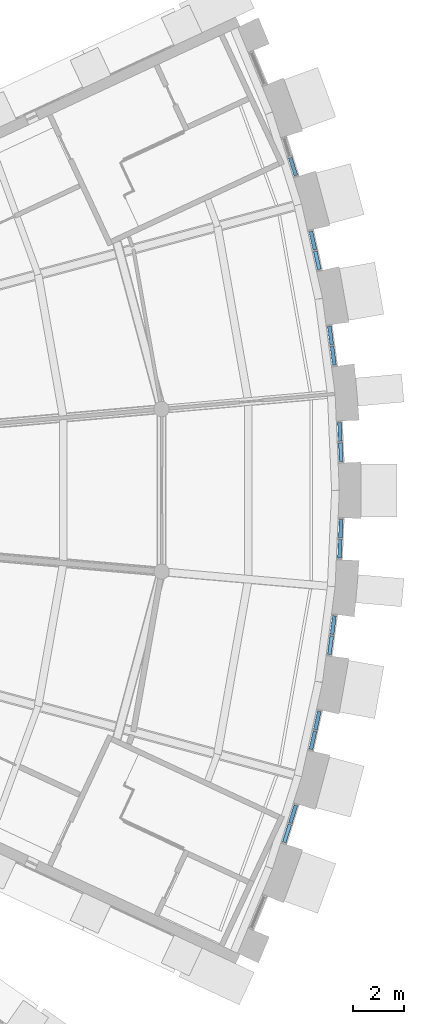
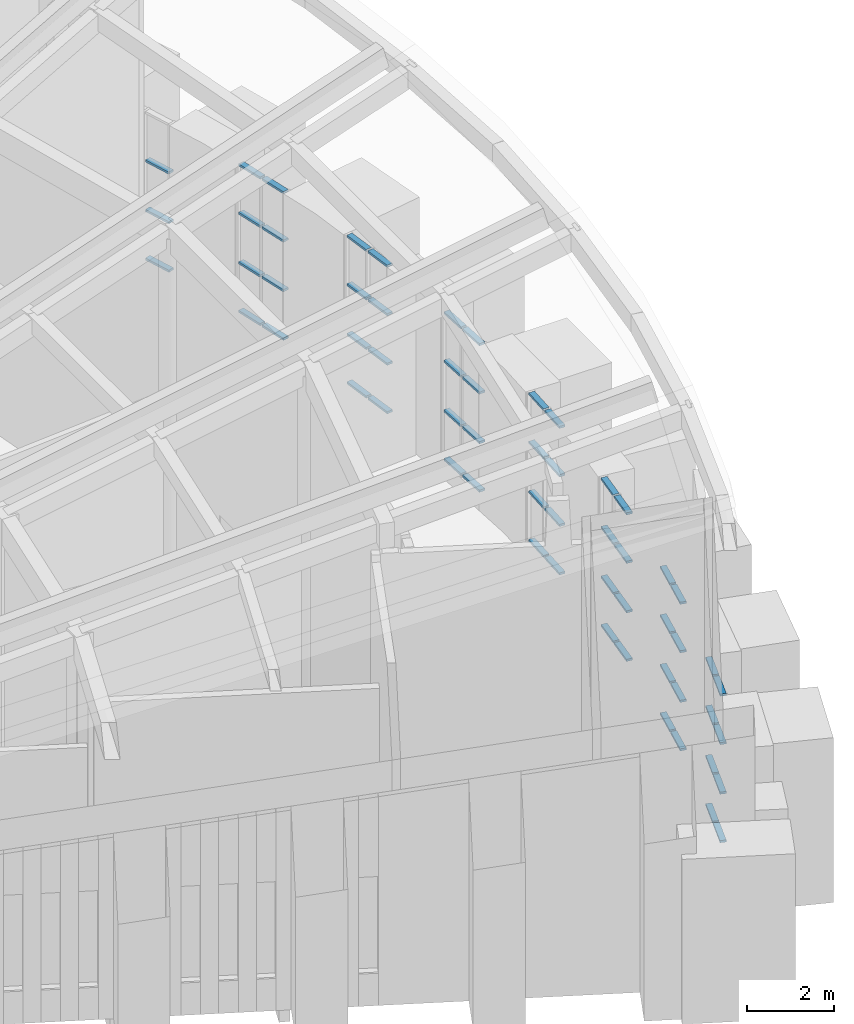
# One storey, part 16 of 50: 59 members, 8 elements without a shape of their own.
"""IFC4 building model written with IfcOpenShell, lengths in metres."""

from ifc_helpers import new_model, si_unit, direction, frame, origin, origin_2d, place, context, subcontext, project, spatial, rectangle, extrude, material, layer, layer_set, material_profile, profile_set, type_object, element, aggregate, save


model = new_model("IFC4")

# Units and contexts
model_context = context("Model", 3, precision=1e-05, world=origin(), true_north=direction((0.0, 1.0)))
body_context = subcontext(model_context, "Body", "Model", "MODEL_VIEW")
ifc_project = project(units=[si_unit("LENGTHUNIT", "METRE"), si_unit("AREAUNIT", "SQUARE_METRE"), si_unit("VOLUMEUNIT", "CUBIC_METRE"), si_unit("PLANEANGLEUNIT", "RADIAN"), si_unit("MASSUNIT", "GRAM", prefix="KILO")], contexts=[model_context])

# Site, building, storey
site_placement = place(None, origin())
site = spatial("IfcSite", under=ifc_project, at=site_placement, CompositionType="ELEMENT")
building_placement = place(site_placement, origin())
building = spatial("IfcBuilding", under=site, at=building_placement, Name="Volute Hill Aquarium", CompositionType="ELEMENT")
storey_placement = place(building_placement, frame((0.0, 0.0, 9.199951171875)))
storey = spatial("IfcBuildingStorey", under=building, at=storey_placement, Name="L03", CompositionType="ELEMENT", Elevation=9.199951171875)

# Curtain wall, members
ifc_material_1 = material(Name="Aluminium", Category="aluminium")
ifc_layer = layer(ifc_material_1, 0.25)
ifc_layer_set = layer_set([ifc_layer], Name="Curtain wall niche S4 module 819")
curtain_wall_type = type_object("IfcCurtainWallType", Name="Curtain wall niche S4 module 819", PredefinedType="NOTDEFINED", material=ifc_layer_set)
curtain_wall_1_placement = place(storey_placement, origin())
curtain_wall_1 = element("IfcCurtainWall", 1, at=curtain_wall_1_placement, inside=storey, type_object=curtain_wall_type, Name="Curtain wall CW S4 L03 2", PredefinedType="NOTDEFINED")
ifc_material_2 = material(Name="Aluminium", Category="aluminium")
ifc_material_profile = material_profile(ifc_material_2, rectangle(XDim=0.14990234375, YDim=0.06005859375, at=origin_2d()), Name="Curtain wall transom S4 60x150")
ifc_profile_set = profile_set([ifc_material_profile], Name="Aluminium")
member_type = type_object("IfcMemberType", Name="Curtain wall transom S4 60x150", PredefinedType="USERDEFINED", material=ifc_profile_set)
member_1_placement = place(storey_placement, frame((41.052001953125, -13.7392578125, 0.47998046875), z_axis=(0.300810716557, 0.953683864184, 0.0), x_axis=(-0.953683864184, 0.300810716557, 0.0)))
member_1 = element("IfcMember", 2, at=member_1_placement, type_object=member_type, Name="CW transom 1.1", ObjectType="TRANSOM", PredefinedType="USERDEFINED", context=body_context, shape_type="SweptSolid", body=[
    extrude(rectangle(XDim=0.14990234375, YDim=0.06005859375, at=origin_2d()), origin(), (0.0, 0.0, 1.0), 0.728759765625),
])
member_2_placement = place(storey_placement, frame((41.052001953125, -13.7392578125, 1.83349609375), z_axis=(0.300810716557, 0.953683864184, 0.0), x_axis=(-0.953683864184, 0.300810716557, 0.0)))
member_2 = element("IfcMember", 3, at=member_2_placement, type_object=member_type, Name="CW transom 1.2", ObjectType="TRANSOM", PredefinedType="USERDEFINED", context=body_context, shape_type="SweptSolid", body=[
    extrude(rectangle(XDim=0.14990234375, YDim=0.06005859375, at=origin_2d()), origin(), (0.0, 0.0, 1.0), 0.728759765625),
])
member_3_placement = place(storey_placement, frame((41.052001953125, -13.7392578125, 3.216796875), z_axis=(0.300810716557, 0.953683864184, 0.0), x_axis=(-0.953683864184, 0.300810716557, 0.0)))
member_3 = element("IfcMember", 4, at=member_3_placement, type_object=member_type, Name="CW transom 1.3", ObjectType="TRANSOM", PredefinedType="USERDEFINED", context=body_context, shape_type="SweptSolid", body=[
    extrude(rectangle(XDim=0.14990234375, YDim=0.06005859375, at=origin_2d()), origin(), (0.0, 0.0, 1.0), 0.728759765625),
])
member_4_placement = place(storey_placement, frame((41.052001953125, -13.7392578125, 4.570068359375), z_axis=(0.300810716557, 0.953683864184, 0.0), x_axis=(-0.953683864184, 0.300810716557, 0.0)))
member_4 = element("IfcMember", 5, at=member_4_placement, type_object=member_type, Name="CW transom 1.4", ObjectType="TRANSOM", PredefinedType="USERDEFINED", context=body_context, shape_type="SweptSolid", body=[
    extrude(rectangle(XDim=0.14990234375, YDim=0.06005859375, at=origin_2d()), origin(), (0.0, 0.0, 1.0), 0.728759765625),
])
member_5_placement = place(storey_placement, frame((41.289306640625, -12.987060546875, 0.47998046875), z_axis=(0.300506003221, 0.953779923267, 0.0), x_axis=(-0.953779923267, 0.300506003221, 0.0)))
member_5 = element("IfcMember", 6, at=member_5_placement, type_object=member_type, Name="CW transom 2.1", ObjectType="TRANSOM", PredefinedType="USERDEFINED", context=body_context, shape_type="SweptSolid", body=[
    extrude(rectangle(XDim=0.14990234375, YDim=0.06005859375, at=origin_2d()), origin(), (0.0, 0.0, 1.0), 0.728759765625),
])
member_6_placement = place(storey_placement, frame((41.289306640625, -12.987060546875, 1.83349609375), z_axis=(0.300506003221, 0.953779923267, 0.0), x_axis=(-0.953779923267, 0.300506003221, 0.0)))
member_6 = element("IfcMember", 7, at=member_6_placement, type_object=member_type, Name="CW transom 2.2", ObjectType="TRANSOM", PredefinedType="USERDEFINED", context=body_context, shape_type="SweptSolid", body=[
    extrude(rectangle(XDim=0.14990234375, YDim=0.06005859375, at=origin_2d()), origin(), (0.0, 0.0, 1.0), 0.728759765625),
])
member_7_placement = place(storey_placement, frame((41.289306640625, -12.987060546875, 3.216796875), z_axis=(0.300506003221, 0.953779923267, 0.0), x_axis=(-0.953779923267, 0.300506003221, 0.0)))
member_7 = element("IfcMember", 8, at=member_7_placement, type_object=member_type, Name="CW transom 2.3", ObjectType="TRANSOM", PredefinedType="USERDEFINED", context=body_context, shape_type="SweptSolid", body=[
    extrude(rectangle(XDim=0.14990234375, YDim=0.06005859375, at=origin_2d()), origin(), (0.0, 0.0, 1.0), 0.728759765625),
])
member_8_placement = place(storey_placement, frame((41.289306640625, -12.987060546875, 4.570068359375), z_axis=(0.300506003221, 0.953779923267, 0.0), x_axis=(-0.953779923267, 0.300506003221, 0.0)))
member_8 = element("IfcMember", 9, at=member_8_placement, type_object=member_type, Name="CW transom 2.4", ObjectType="TRANSOM", PredefinedType="USERDEFINED", context=body_context, shape_type="SweptSolid", body=[
    extrude(rectangle(XDim=0.14990234375, YDim=0.06005859375, at=origin_2d()), origin(), (0.0, 0.0, 1.0), 0.728759765625),
])
aggregate(curtain_wall_1, [member_1, member_2, member_3, member_4, member_5, member_6, member_7, member_8])

curtain_wall_2_placement = place(storey_placement, origin())
curtain_wall_2 = element("IfcCurtainWall", 10, at=curtain_wall_2_placement, inside=storey, type_object=curtain_wall_type, Name="Curtain wall CW S4 L03 3", PredefinedType="NOTDEFINED")
member_9_placement = place(storey_placement, frame((42.09326171875, -10.109130859375, 0.47998046875), z_axis=(0.216433786926, 0.976297298919, 0.0), x_axis=(-0.976297298919, 0.216433786926, 0.0)))
member_9 = element("IfcMember", 11, at=member_9_placement, type_object=member_type, Name="CW transom 1.1", ObjectType="TRANSOM", PredefinedType="USERDEFINED", context=body_context, shape_type="SweptSolid", body=[
    extrude(rectangle(XDim=0.14990234375, YDim=0.06005859375, at=origin_2d()), origin(), (0.0, 0.0, 1.0), 0.728759765625),
])
member_10_placement = place(storey_placement, frame((42.09326171875, -10.109130859375, 1.83349609375), z_axis=(0.216433786926, 0.976297298919, 0.0), x_axis=(-0.976297298919, 0.216433786926, 0.0)))
member_10 = element("IfcMember", 12, at=member_10_placement, type_object=member_type, Name="CW transom 1.2", ObjectType="TRANSOM", PredefinedType="USERDEFINED", context=body_context, shape_type="SweptSolid", body=[
    extrude(rectangle(XDim=0.14990234375, YDim=0.06005859375, at=origin_2d()), origin(), (0.0, 0.0, 1.0), 0.728759765625),
])
member_11_placement = place(storey_placement, frame((42.09326171875, -10.109130859375, 3.216796875), z_axis=(0.216433786926, 0.976297298919, 0.0), x_axis=(-0.976297298919, 0.216433786926, 0.0)))
member_11 = element("IfcMember", 13, at=member_11_placement, type_object=member_type, Name="CW transom 1.3", ObjectType="TRANSOM", PredefinedType="USERDEFINED", context=body_context, shape_type="SweptSolid", body=[
    extrude(rectangle(XDim=0.14990234375, YDim=0.06005859375, at=origin_2d()), origin(), (0.0, 0.0, 1.0), 0.728759765625),
])
member_12_placement = place(storey_placement, frame((42.09326171875, -10.109130859375, 4.570068359375), z_axis=(0.216433786926, 0.976297298919, 0.0), x_axis=(-0.976297298919, 0.216433786926, 0.0)))
member_12 = element("IfcMember", 14, at=member_12_placement, type_object=member_type, Name="CW transom 1.4", ObjectType="TRANSOM", PredefinedType="USERDEFINED", context=body_context, shape_type="SweptSolid", body=[
    extrude(rectangle(XDim=0.14990234375, YDim=0.06005859375, at=origin_2d()), origin(), (0.0, 0.0, 1.0), 0.728759765625),
])
member_13_placement = place(storey_placement, frame((42.263916015625, -9.339111328125, 0.47998046875), z_axis=(0.216433786926, 0.976297298919, 0.0), x_axis=(-0.976297298919, 0.216433786926, 0.0)))
member_13 = element("IfcMember", 15, at=member_13_placement, type_object=member_type, Name="CW transom 2.1", ObjectType="TRANSOM", PredefinedType="USERDEFINED", context=body_context, shape_type="SweptSolid", body=[
    extrude(rectangle(XDim=0.14990234375, YDim=0.06005859375, at=origin_2d()), origin(), (0.0, 0.0, 1.0), 0.728759765625),
])
member_14_placement = place(storey_placement, frame((42.263916015625, -9.339111328125, 1.83349609375), z_axis=(0.216433786926, 0.976297298919, 0.0), x_axis=(-0.976297298919, 0.216433786926, 0.0)))
member_14 = element("IfcMember", 16, at=member_14_placement, type_object=member_type, Name="CW transom 2.2", ObjectType="TRANSOM", PredefinedType="USERDEFINED", context=body_context, shape_type="SweptSolid", body=[
    extrude(rectangle(XDim=0.14990234375, YDim=0.06005859375, at=origin_2d()), origin(), (0.0, 0.0, 1.0), 0.728759765625),
])
member_15_placement = place(storey_placement, frame((42.263916015625, -9.339111328125, 3.216796875), z_axis=(0.216433786926, 0.976297298919, 0.0), x_axis=(-0.976297298919, 0.216433786926, 0.0)))
member_15 = element("IfcMember", 17, at=member_15_placement, type_object=member_type, Name="CW transom 2.3", ObjectType="TRANSOM", PredefinedType="USERDEFINED", context=body_context, shape_type="SweptSolid", body=[
    extrude(rectangle(XDim=0.14990234375, YDim=0.06005859375, at=origin_2d()), origin(), (0.0, 0.0, 1.0), 0.728759765625),
])
member_16_placement = place(storey_placement, frame((42.263916015625, -9.339111328125, 4.570068359375), z_axis=(0.216433786926, 0.976297298919, 0.0), x_axis=(-0.976297298919, 0.216433786926, 0.0)))
member_16 = element("IfcMember", 18, at=member_16_placement, type_object=member_type, Name="CW transom 2.4", ObjectType="TRANSOM", PredefinedType="USERDEFINED", context=body_context, shape_type="SweptSolid", body=[
    extrude(rectangle(XDim=0.14990234375, YDim=0.06005859375, at=origin_2d()), origin(), (0.0, 0.0, 1.0), 0.728759765625),
])
aggregate(curtain_wall_2, [member_9, member_10, member_11, member_12, member_13, member_14, member_15, member_16])

curtain_wall_3_placement = place(storey_placement, origin())
curtain_wall_3 = element("IfcCurtainWall", 19, at=curtain_wall_3_placement, inside=storey, type_object=curtain_wall_type, Name="Curtain wall CW S4 L03 4", PredefinedType="NOTDEFINED")
member_17_placement = place(storey_placement, frame((42.814208984375, -6.40185546875, 0.47998046875), z_axis=(0.130341833664, 0.991469115201, 0.0), x_axis=(-0.991469115201, 0.130341833664, 0.0)))
member_17 = element("IfcMember", 20, at=member_17_placement, type_object=member_type, Name="CW transom 1.1", ObjectType="TRANSOM", PredefinedType="USERDEFINED", context=body_context, shape_type="SweptSolid", body=[
    extrude(rectangle(XDim=0.14990234375, YDim=0.06005859375, at=origin_2d()), origin(), (0.0, 0.0, 1.0), 0.728515625),
])
member_18_placement = place(storey_placement, frame((42.814208984375, -6.40185546875, 1.83349609375), z_axis=(0.130341833664, 0.991469115201, 0.0), x_axis=(-0.991469115201, 0.130341833664, 0.0)))
member_18 = element("IfcMember", 21, at=member_18_placement, type_object=member_type, Name="CW transom 1.2", ObjectType="TRANSOM", PredefinedType="USERDEFINED", context=body_context, shape_type="SweptSolid", body=[
    extrude(rectangle(XDim=0.14990234375, YDim=0.06005859375, at=origin_2d()), origin(), (0.0, 0.0, 1.0), 0.728515625),
])
member_19_placement = place(storey_placement, frame((42.814208984375, -6.40185546875, 3.216796875), z_axis=(0.130341833664, 0.991469115201, 0.0), x_axis=(-0.991469115201, 0.130341833664, 0.0)))
member_19 = element("IfcMember", 22, at=member_19_placement, type_object=member_type, Name="CW transom 1.3", ObjectType="TRANSOM", PredefinedType="USERDEFINED", context=body_context, shape_type="SweptSolid", body=[
    extrude(rectangle(XDim=0.14990234375, YDim=0.06005859375, at=origin_2d()), origin(), (0.0, 0.0, 1.0), 0.728515625),
])
member_20_placement = place(storey_placement, frame((42.814208984375, -6.40185546875, 4.570068359375), z_axis=(0.130341833664, 0.991469115201, 0.0), x_axis=(-0.991469115201, 0.130341833664, 0.0)))
member_20 = element("IfcMember", 23, at=member_20_placement, type_object=member_type, Name="CW transom 1.4", ObjectType="TRANSOM", PredefinedType="USERDEFINED", context=body_context, shape_type="SweptSolid", body=[
    extrude(rectangle(XDim=0.14990234375, YDim=0.06005859375, at=origin_2d()), origin(), (0.0, 0.0, 1.0), 0.728515625),
])
member_21_placement = place(storey_placement, frame((42.9169921875, -5.619873046875, 0.47998046875), z_axis=(0.130671188566, 0.991425761456, 0.0), x_axis=(-0.991425761456, 0.130671188566, 0.0)))
member_21 = element("IfcMember", 24, at=member_21_placement, type_object=member_type, Name="CW transom 2.1", ObjectType="TRANSOM", PredefinedType="USERDEFINED", context=body_context, shape_type="SweptSolid", body=[
    extrude(rectangle(XDim=0.14990234375, YDim=0.06005859375, at=origin_2d()), origin(), (0.0, 0.0, 1.0), 0.728759765625),
])
member_22_placement = place(storey_placement, frame((42.9169921875, -5.619873046875, 1.83349609375), z_axis=(0.130671188566, 0.991425761456, 0.0), x_axis=(-0.991425761456, 0.130671188566, 0.0)))
member_22 = element("IfcMember", 25, at=member_22_placement, type_object=member_type, Name="CW transom 2.2", ObjectType="TRANSOM", PredefinedType="USERDEFINED", context=body_context, shape_type="SweptSolid", body=[
    extrude(rectangle(XDim=0.14990234375, YDim=0.06005859375, at=origin_2d()), origin(), (0.0, 0.0, 1.0), 0.728759765625),
])
member_23_placement = place(storey_placement, frame((42.9169921875, -5.619873046875, 3.216796875), z_axis=(0.130671188566, 0.991425761456, 0.0), x_axis=(-0.991425761456, 0.130671188566, 0.0)))
member_23 = element("IfcMember", 26, at=member_23_placement, type_object=member_type, Name="CW transom 2.3", ObjectType="TRANSOM", PredefinedType="USERDEFINED", context=body_context, shape_type="SweptSolid", body=[
    extrude(rectangle(XDim=0.14990234375, YDim=0.06005859375, at=origin_2d()), origin(), (0.0, 0.0, 1.0), 0.728759765625),
])
member_24_placement = place(storey_placement, frame((42.9169921875, -5.619873046875, 4.570068359375), z_axis=(0.130671188566, 0.991425761456, 0.0), x_axis=(-0.991425761456, 0.130671188566, 0.0)))
member_24 = element("IfcMember", 27, at=member_24_placement, type_object=member_type, Name="CW transom 2.4", ObjectType="TRANSOM", PredefinedType="USERDEFINED", context=body_context, shape_type="SweptSolid", body=[
    extrude(rectangle(XDim=0.14990234375, YDim=0.06005859375, at=origin_2d()), origin(), (0.0, 0.0, 1.0), 0.728759765625),
])
aggregate(curtain_wall_3, [member_17, member_18, member_19, member_20, member_21, member_22, member_23, member_24])

curtain_wall_4_placement = place(storey_placement, origin())
curtain_wall_4 = element("IfcCurtainWall", 28, at=curtain_wall_4_placement, inside=storey, type_object=curtain_wall_type, Name="Curtain wall CW S4 L03 5", PredefinedType="NOTDEFINED")
member_25_placement = place(storey_placement, frame((43.209228515625, -2.64599609375, 0.47998046875), z_axis=(0.04355353531, 0.99905109457, 0.0), x_axis=(-0.99905109457, 0.04355353531, 0.0)))
member_25 = element("IfcMember", 29, at=member_25_placement, type_object=member_type, Name="CW transom 1.1", ObjectType="TRANSOM", PredefinedType="USERDEFINED", context=body_context, shape_type="SweptSolid", body=[
    extrude(rectangle(XDim=0.14990234375, YDim=0.06005859375, at=origin_2d()), origin(), (0.0, 0.0, 1.0), 0.728759765625),
])
member_26_placement = place(storey_placement, frame((43.209228515625, -2.64599609375, 1.83349609375), z_axis=(0.04355353531, 0.99905109457, 0.0), x_axis=(-0.99905109457, 0.04355353531, 0.0)))
member_26 = element("IfcMember", 30, at=member_26_placement, type_object=member_type, Name="CW transom 1.2", ObjectType="TRANSOM", PredefinedType="USERDEFINED", context=body_context, shape_type="SweptSolid", body=[
    extrude(rectangle(XDim=0.14990234375, YDim=0.06005859375, at=origin_2d()), origin(), (0.0, 0.0, 1.0), 0.728759765625),
])
member_27_placement = place(storey_placement, frame((43.209228515625, -2.64599609375, 3.216796875), z_axis=(0.04355353531, 0.99905109457, 0.0), x_axis=(-0.99905109457, 0.04355353531, 0.0)))
member_27 = element("IfcMember", 31, at=member_27_placement, type_object=member_type, Name="CW transom 1.3", ObjectType="TRANSOM", PredefinedType="USERDEFINED", context=body_context, shape_type="SweptSolid", body=[
    extrude(rectangle(XDim=0.14990234375, YDim=0.06005859375, at=origin_2d()), origin(), (0.0, 0.0, 1.0), 0.728759765625),
])
member_28_placement = place(storey_placement, frame((43.209228515625, -2.64599609375, 4.570068359375), z_axis=(0.04355353531, 0.99905109457, 0.0), x_axis=(-0.99905109457, 0.04355353531, 0.0)))
member_28 = element("IfcMember", 32, at=member_28_placement, type_object=member_type, Name="CW transom 1.4", ObjectType="TRANSOM", PredefinedType="USERDEFINED", context=body_context, shape_type="SweptSolid", body=[
    extrude(rectangle(XDim=0.14990234375, YDim=0.06005859375, at=origin_2d()), origin(), (0.0, 0.0, 1.0), 0.728759765625),
])
member_29_placement = place(storey_placement, frame((43.24365234375, -1.85791015625, 0.47998046875), z_axis=(0.04355353531, 0.99905109457, 0.0), x_axis=(-0.99905109457, 0.04355353531, 0.0)))
member_29 = element("IfcMember", 33, at=member_29_placement, type_object=member_type, Name="CW transom 2.1", ObjectType="TRANSOM", PredefinedType="USERDEFINED", context=body_context, shape_type="SweptSolid", body=[
    extrude(rectangle(XDim=0.14990234375, YDim=0.06005859375, at=origin_2d()), origin(), (0.0, 0.0, 1.0), 0.728759765625),
])
member_30_placement = place(storey_placement, frame((43.24365234375, -1.85791015625, 1.83349609375), z_axis=(0.04355353531, 0.99905109457, 0.0), x_axis=(-0.99905109457, 0.04355353531, 0.0)))
member_30 = element("IfcMember", 34, at=member_30_placement, type_object=member_type, Name="CW transom 2.2", ObjectType="TRANSOM", PredefinedType="USERDEFINED", context=body_context, shape_type="SweptSolid", body=[
    extrude(rectangle(XDim=0.14990234375, YDim=0.06005859375, at=origin_2d()), origin(), (0.0, 0.0, 1.0), 0.728759765625),
])
member_31_placement = place(storey_placement, frame((43.24365234375, -1.85791015625, 3.216796875), z_axis=(0.04355353531, 0.99905109457, 0.0), x_axis=(-0.99905109457, 0.04355353531, 0.0)))
member_31 = element("IfcMember", 35, at=member_31_placement, type_object=member_type, Name="CW transom 2.3", ObjectType="TRANSOM", PredefinedType="USERDEFINED", context=body_context, shape_type="SweptSolid", body=[
    extrude(rectangle(XDim=0.14990234375, YDim=0.06005859375, at=origin_2d()), origin(), (0.0, 0.0, 1.0), 0.728759765625),
])
member_32_placement = place(storey_placement, frame((43.24365234375, -1.85791015625, 4.570068359375), z_axis=(0.04355353531, 0.99905109457, 0.0), x_axis=(-0.99905109457, 0.04355353531, 0.0)))
member_32 = element("IfcMember", 36, at=member_32_placement, type_object=member_type, Name="CW transom 2.4", ObjectType="TRANSOM", PredefinedType="USERDEFINED", context=body_context, shape_type="SweptSolid", body=[
    extrude(rectangle(XDim=0.14990234375, YDim=0.06005859375, at=origin_2d()), origin(), (0.0, 0.0, 1.0), 0.728759765625),
])
aggregate(curtain_wall_4, [member_25, member_26, member_27, member_28, member_29, member_30, member_31, member_32])

curtain_wall_5_placement = place(storey_placement, origin())
curtain_wall_5 = element("IfcCurtainWall", 37, at=curtain_wall_5_placement, inside=storey, type_object=curtain_wall_type, Name="Curtain wall CW S4 L03 6", PredefinedType="NOTDEFINED")
member_33_placement = place(storey_placement, frame((43.275390625, 1.130126953125, 0.47998046875), z_axis=(-0.04355353531, 0.99905109457, 0.0), x_axis=(-0.99905109457, -0.04355353531, 0.0)))
member_33 = element("IfcMember", 38, at=member_33_placement, type_object=member_type, Name="CW transom 1.1", ObjectType="TRANSOM", PredefinedType="USERDEFINED", context=body_context, shape_type="SweptSolid", body=[
    extrude(rectangle(XDim=0.14990234375, YDim=0.06005859375, at=origin_2d()), origin(), (0.0, 0.0, 1.0), 0.728759765625),
])
member_34_placement = place(storey_placement, frame((43.275390625, 1.130126953125, 1.83349609375), z_axis=(-0.04355353531, 0.99905109457, 0.0), x_axis=(-0.99905109457, -0.04355353531, 0.0)))
member_34 = element("IfcMember", 39, at=member_34_placement, type_object=member_type, Name="CW transom 1.2", ObjectType="TRANSOM", PredefinedType="USERDEFINED", context=body_context, shape_type="SweptSolid", body=[
    extrude(rectangle(XDim=0.14990234375, YDim=0.06005859375, at=origin_2d()), origin(), (0.0, 0.0, 1.0), 0.728759765625),
])
member_35_placement = place(storey_placement, frame((43.275390625, 1.130126953125, 3.216796875), z_axis=(-0.04355353531, 0.99905109457, 0.0), x_axis=(-0.99905109457, -0.04355353531, 0.0)))
member_35 = element("IfcMember", 40, at=member_35_placement, type_object=member_type, Name="CW transom 1.3", ObjectType="TRANSOM", PredefinedType="USERDEFINED", context=body_context, shape_type="SweptSolid", body=[
    extrude(rectangle(XDim=0.14990234375, YDim=0.06005859375, at=origin_2d()), origin(), (0.0, 0.0, 1.0), 0.728759765625),
])
member_36_placement = place(storey_placement, frame((43.275390625, 1.130126953125, 4.570068359375), z_axis=(-0.04355353531, 0.99905109457, 0.0), x_axis=(-0.99905109457, -0.04355353531, 0.0)))
member_36 = element("IfcMember", 41, at=member_36_placement, type_object=member_type, Name="CW transom 1.4", ObjectType="TRANSOM", PredefinedType="USERDEFINED", context=body_context, shape_type="SweptSolid", body=[
    extrude(rectangle(XDim=0.14990234375, YDim=0.06005859375, at=origin_2d()), origin(), (0.0, 0.0, 1.0), 0.728759765625),
])
member_37_placement = place(storey_placement, frame((43.240966796875, 1.91796875, 0.47998046875), z_axis=(-0.04355353531, 0.99905109457, 0.0), x_axis=(-0.99905109457, -0.04355353531, 0.0)))
member_37 = element("IfcMember", 42, at=member_37_placement, type_object=member_type, Name="CW transom 2.1", ObjectType="TRANSOM", PredefinedType="USERDEFINED", context=body_context, shape_type="SweptSolid", body=[
    extrude(rectangle(XDim=0.14990234375, YDim=0.06005859375, at=origin_2d()), origin(), (0.0, 0.0, 1.0), 0.728759765625),
])
member_38_placement = place(storey_placement, frame((43.240966796875, 1.91796875, 1.83349609375), z_axis=(-0.04355353531, 0.99905109457, 0.0), x_axis=(-0.99905109457, -0.04355353531, 0.0)))
member_38 = element("IfcMember", 43, at=member_38_placement, type_object=member_type, Name="CW transom 2.2", ObjectType="TRANSOM", PredefinedType="USERDEFINED", context=body_context, shape_type="SweptSolid", body=[
    extrude(rectangle(XDim=0.14990234375, YDim=0.06005859375, at=origin_2d()), origin(), (0.0, 0.0, 1.0), 0.728759765625),
])
member_39_placement = place(storey_placement, frame((43.240966796875, 1.91796875, 3.216796875), z_axis=(-0.04355353531, 0.99905109457, 0.0), x_axis=(-0.99905109457, -0.04355353531, 0.0)))
member_39 = element("IfcMember", 44, at=member_39_placement, type_object=member_type, Name="CW transom 2.3", ObjectType="TRANSOM", PredefinedType="USERDEFINED", context=body_context, shape_type="SweptSolid", body=[
    extrude(rectangle(XDim=0.14990234375, YDim=0.06005859375, at=origin_2d()), origin(), (0.0, 0.0, 1.0), 0.728759765625),
])
member_40_placement = place(storey_placement, frame((43.240966796875, 1.91796875, 4.570068359375), z_axis=(-0.04355353531, 0.99905109457, 0.0), x_axis=(-0.99905109457, -0.04355353531, 0.0)))
member_40 = element("IfcMember", 45, at=member_40_placement, type_object=member_type, Name="CW transom 2.4", ObjectType="TRANSOM", PredefinedType="USERDEFINED", context=body_context, shape_type="SweptSolid", body=[
    extrude(rectangle(XDim=0.14990234375, YDim=0.06005859375, at=origin_2d()), origin(), (0.0, 0.0, 1.0), 0.728759765625),
])
aggregate(curtain_wall_5, [member_33, member_34, member_35, member_36, member_37, member_38, member_39, member_40])

curtain_wall_6_placement = place(storey_placement, origin())
curtain_wall_6 = element("IfcCurtainWall", 46, at=curtain_wall_6_placement, inside=storey, type_object=curtain_wall_type, Name="Curtain wall CW S4 L03 7", PredefinedType="NOTDEFINED")
member_41_placement = place(storey_placement, frame((43.01220703125, 4.8974609375, 0.47998046875), z_axis=(-0.130671188566, 0.991425761456, 0.0), x_axis=(-0.991425761456, -0.130671188566, 0.0)))
member_41 = element("IfcMember", 47, at=member_41_placement, type_object=member_type, Name="CW transom 1.1", ObjectType="TRANSOM", PredefinedType="USERDEFINED", context=body_context, shape_type="SweptSolid", body=[
    extrude(rectangle(XDim=0.14990234375, YDim=0.06005859375, at=origin_2d()), origin(), (0.0, 0.0, 1.0), 0.728759765625),
])
member_42_placement = place(storey_placement, frame((43.01220703125, 4.8974609375, 1.83349609375), z_axis=(-0.130671188566, 0.991425761456, 0.0), x_axis=(-0.991425761456, -0.130671188566, 0.0)))
member_42 = element("IfcMember", 48, at=member_42_placement, type_object=member_type, Name="CW transom 1.2", ObjectType="TRANSOM", PredefinedType="USERDEFINED", context=body_context, shape_type="SweptSolid", body=[
    extrude(rectangle(XDim=0.14990234375, YDim=0.06005859375, at=origin_2d()), origin(), (0.0, 0.0, 1.0), 0.728759765625),
])
member_43_placement = place(storey_placement, frame((43.01220703125, 4.8974609375, 3.216796875), z_axis=(-0.130671188566, 0.991425761456, 0.0), x_axis=(-0.991425761456, -0.130671188566, 0.0)))
member_43 = element("IfcMember", 49, at=member_43_placement, type_object=member_type, Name="CW transom 1.3", ObjectType="TRANSOM", PredefinedType="USERDEFINED", context=body_context, shape_type="SweptSolid", body=[
    extrude(rectangle(XDim=0.14990234375, YDim=0.06005859375, at=origin_2d()), origin(), (0.0, 0.0, 1.0), 0.728759765625),
])
member_44_placement = place(storey_placement, frame((43.01220703125, 4.8974609375, 4.570068359375), z_axis=(-0.130671188566, 0.991425761456, 0.0), x_axis=(-0.991425761456, -0.130671188566, 0.0)))
member_44 = element("IfcMember", 50, at=member_44_placement, type_object=member_type, Name="CW transom 1.4", ObjectType="TRANSOM", PredefinedType="USERDEFINED", context=body_context, shape_type="SweptSolid", body=[
    extrude(rectangle(XDim=0.14990234375, YDim=0.06005859375, at=origin_2d()), origin(), (0.0, 0.0, 1.0), 0.728759765625),
])
member_45_placement = place(storey_placement, frame((42.9091796875, 5.679443359375, 0.47998046875), z_axis=(-0.130341833664, 0.991469115201, 0.0), x_axis=(-0.991469115201, -0.130341833664, 0.0)))
member_45 = element("IfcMember", 51, at=member_45_placement, type_object=member_type, Name="CW transom 2.1", ObjectType="TRANSOM", PredefinedType="USERDEFINED", context=body_context, shape_type="SweptSolid", body=[
    extrude(rectangle(XDim=0.14990234375, YDim=0.06005859375, at=origin_2d()), origin(), (0.0, 0.0, 1.0), 0.728515625),
])
member_46_placement = place(storey_placement, frame((42.9091796875, 5.679443359375, 1.83349609375), z_axis=(-0.130341833664, 0.991469115201, 0.0), x_axis=(-0.991469115201, -0.130341833664, 0.0)))
member_46 = element("IfcMember", 52, at=member_46_placement, type_object=member_type, Name="CW transom 2.2", ObjectType="TRANSOM", PredefinedType="USERDEFINED", context=body_context, shape_type="SweptSolid", body=[
    extrude(rectangle(XDim=0.14990234375, YDim=0.06005859375, at=origin_2d()), origin(), (0.0, 0.0, 1.0), 0.728515625),
])
member_47_placement = place(storey_placement, frame((42.9091796875, 5.679443359375, 3.216796875), z_axis=(-0.130341833664, 0.991469115201, 0.0), x_axis=(-0.991469115201, -0.130341833664, 0.0)))
member_47 = element("IfcMember", 53, at=member_47_placement, type_object=member_type, Name="CW transom 2.3", ObjectType="TRANSOM", PredefinedType="USERDEFINED", context=body_context, shape_type="SweptSolid", body=[
    extrude(rectangle(XDim=0.14990234375, YDim=0.06005859375, at=origin_2d()), origin(), (0.0, 0.0, 1.0), 0.728515625),
])
member_48_placement = place(storey_placement, frame((42.9091796875, 5.679443359375, 4.570068359375), z_axis=(-0.130341833664, 0.991469115201, 0.0), x_axis=(-0.991469115201, -0.130341833664, 0.0)))
member_48 = element("IfcMember", 54, at=member_48_placement, type_object=member_type, Name="CW transom 2.4", ObjectType="TRANSOM", PredefinedType="USERDEFINED", context=body_context, shape_type="SweptSolid", body=[
    extrude(rectangle(XDim=0.14990234375, YDim=0.06005859375, at=origin_2d()), origin(), (0.0, 0.0, 1.0), 0.728515625),
])
aggregate(curtain_wall_6, [member_41, member_42, member_43, member_44, member_45, member_46, member_47, member_48])

curtain_wall_7_placement = place(storey_placement, origin())
curtain_wall_7 = element("IfcCurtainWall", 55, at=curtain_wall_7_placement, inside=storey, type_object=curtain_wall_type, Name="Curtain wall CW S4 L03 8", PredefinedType="NOTDEFINED")
member_49_placement = place(storey_placement, frame((42.421630859375, 8.62744140625, 0.47998046875), z_axis=(-0.216433786926, 0.976297298919, 0.0), x_axis=(-0.976297298919, -0.216433786926, 0.0)))
member_49 = element("IfcMember", 56, at=member_49_placement, type_object=member_type, Name="CW transom 1.1", ObjectType="TRANSOM", PredefinedType="USERDEFINED", context=body_context, shape_type="SweptSolid", body=[
    extrude(rectangle(XDim=0.14990234375, YDim=0.06005859375, at=origin_2d()), origin(), (0.0, 0.0, 1.0), 0.728759765625),
])
member_50_placement = place(storey_placement, frame((42.421630859375, 8.62744140625, 1.83349609375), z_axis=(-0.216433786926, 0.976297298919, 0.0), x_axis=(-0.976297298919, -0.216433786926, 0.0)))
member_50 = element("IfcMember", 57, at=member_50_placement, type_object=member_type, Name="CW transom 1.2", ObjectType="TRANSOM", PredefinedType="USERDEFINED", context=body_context, shape_type="SweptSolid", body=[
    extrude(rectangle(XDim=0.14990234375, YDim=0.06005859375, at=origin_2d()), origin(), (0.0, 0.0, 1.0), 0.728759765625),
])
member_51_placement = place(storey_placement, frame((42.421630859375, 8.62744140625, 3.216796875), z_axis=(-0.216433786926, 0.976297298919, 0.0), x_axis=(-0.976297298919, -0.216433786926, 0.0)))
member_51 = element("IfcMember", 58, at=member_51_placement, type_object=member_type, Name="CW transom 1.3", ObjectType="TRANSOM", PredefinedType="USERDEFINED", context=body_context, shape_type="SweptSolid", body=[
    extrude(rectangle(XDim=0.14990234375, YDim=0.06005859375, at=origin_2d()), origin(), (0.0, 0.0, 1.0), 0.728759765625),
])
member_52_placement = place(storey_placement, frame((42.421630859375, 8.62744140625, 4.570068359375), z_axis=(-0.216433786926, 0.976297298919, 0.0), x_axis=(-0.976297298919, -0.216433786926, 0.0)))
member_52 = element("IfcMember", 59, at=member_52_placement, type_object=member_type, Name="CW transom 1.4", ObjectType="TRANSOM", PredefinedType="USERDEFINED", context=body_context, shape_type="SweptSolid", body=[
    extrude(rectangle(XDim=0.14990234375, YDim=0.06005859375, at=origin_2d()), origin(), (0.0, 0.0, 1.0), 0.728759765625),
])
member_53_placement = place(storey_placement, frame((42.2509765625, 9.3974609375, 0.47998046875), z_axis=(-0.216433786926, 0.976297298919, 0.0), x_axis=(-0.976297298919, -0.216433786926, 0.0)))
member_53 = element("IfcMember", 60, at=member_53_placement, type_object=member_type, Name="CW transom 2.1", ObjectType="TRANSOM", PredefinedType="USERDEFINED", context=body_context, shape_type="SweptSolid", body=[
    extrude(rectangle(XDim=0.14990234375, YDim=0.06005859375, at=origin_2d()), origin(), (0.0, 0.0, 1.0), 0.728759765625),
])
member_54_placement = place(storey_placement, frame((42.2509765625, 9.3974609375, 1.83349609375), z_axis=(-0.216433786926, 0.976297298919, 0.0), x_axis=(-0.976297298919, -0.216433786926, 0.0)))
member_54 = element("IfcMember", 61, at=member_54_placement, type_object=member_type, Name="CW transom 2.2", ObjectType="TRANSOM", PredefinedType="USERDEFINED", context=body_context, shape_type="SweptSolid", body=[
    extrude(rectangle(XDim=0.14990234375, YDim=0.06005859375, at=origin_2d()), origin(), (0.0, 0.0, 1.0), 0.728759765625),
])
member_55_placement = place(storey_placement, frame((42.2509765625, 9.3974609375, 3.216796875), z_axis=(-0.216433786926, 0.976297298919, 0.0), x_axis=(-0.976297298919, -0.216433786926, 0.0)))
member_55 = element("IfcMember", 62, at=member_55_placement, type_object=member_type, Name="CW transom 2.3", ObjectType="TRANSOM", PredefinedType="USERDEFINED", context=body_context, shape_type="SweptSolid", body=[
    extrude(rectangle(XDim=0.14990234375, YDim=0.06005859375, at=origin_2d()), origin(), (0.0, 0.0, 1.0), 0.728759765625),
])
member_56_placement = place(storey_placement, frame((42.2509765625, 9.3974609375, 4.570068359375), z_axis=(-0.216433786926, 0.976297298919, 0.0), x_axis=(-0.976297298919, -0.216433786926, 0.0)))
member_56 = element("IfcMember", 63, at=member_56_placement, type_object=member_type, Name="CW transom 2.4", ObjectType="TRANSOM", PredefinedType="USERDEFINED", context=body_context, shape_type="SweptSolid", body=[
    extrude(rectangle(XDim=0.14990234375, YDim=0.06005859375, at=origin_2d()), origin(), (0.0, 0.0, 1.0), 0.728759765625),
])
aggregate(curtain_wall_7, [member_49, member_50, member_51, member_52, member_53, member_54, member_55, member_56])

curtain_wall_8_placement = place(storey_placement, origin())
curtain_wall_8 = element("IfcCurtainWall", 64, at=curtain_wall_8_placement, inside=storey, type_object=curtain_wall_type, Name="Curtain wall CW S4 L03 9", PredefinedType="NOTDEFINED")
member_57_placement = place(storey_placement, frame((41.50830078125, 12.2919921875, 0.47998046875), z_axis=(-0.300506003221, 0.953779923267, 0.0), x_axis=(-0.953779923267, -0.300506003221, 0.0)))
member_57 = element("IfcMember", 65, at=member_57_placement, type_object=member_type, Name="CW transom 1.1", ObjectType="TRANSOM", PredefinedType="USERDEFINED", context=body_context, shape_type="SweptSolid", body=[
    extrude(rectangle(XDim=0.14990234375, YDim=0.06005859375, at=origin_2d()), origin(), (0.0, 0.0, 1.0), 0.728759765625),
])
member_58_placement = place(storey_placement, frame((41.50830078125, 12.2919921875, 1.83349609375), z_axis=(-0.300506003221, 0.953779923267, 0.0), x_axis=(-0.953779923267, -0.300506003221, 0.0)))
member_58 = element("IfcMember", 66, at=member_58_placement, type_object=member_type, Name="CW transom 1.2", ObjectType="TRANSOM", PredefinedType="USERDEFINED", context=body_context, shape_type="SweptSolid", body=[
    extrude(rectangle(XDim=0.14990234375, YDim=0.06005859375, at=origin_2d()), origin(), (0.0, 0.0, 1.0), 0.728759765625),
])
member_59_placement = place(storey_placement, frame((41.50830078125, 12.2919921875, 3.216796875), z_axis=(-0.300506003221, 0.953779923267, 0.0), x_axis=(-0.953779923267, -0.300506003221, 0.0)))
member_59 = element("IfcMember", 67, at=member_59_placement, type_object=member_type, Name="CW transom 1.3", ObjectType="TRANSOM", PredefinedType="USERDEFINED", context=body_context, shape_type="SweptSolid", body=[
    extrude(rectangle(XDim=0.14990234375, YDim=0.06005859375, at=origin_2d()), origin(), (0.0, 0.0, 1.0), 0.728759765625),
])
aggregate(curtain_wall_8, [member_57, member_58, member_59])

save(model, "model.ifc")
